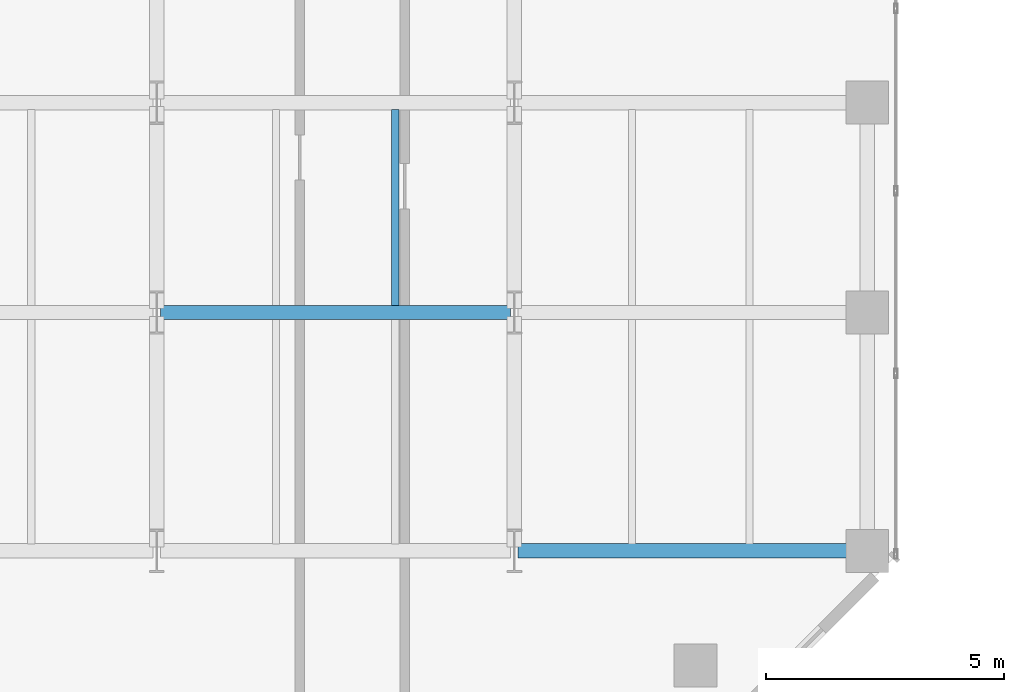
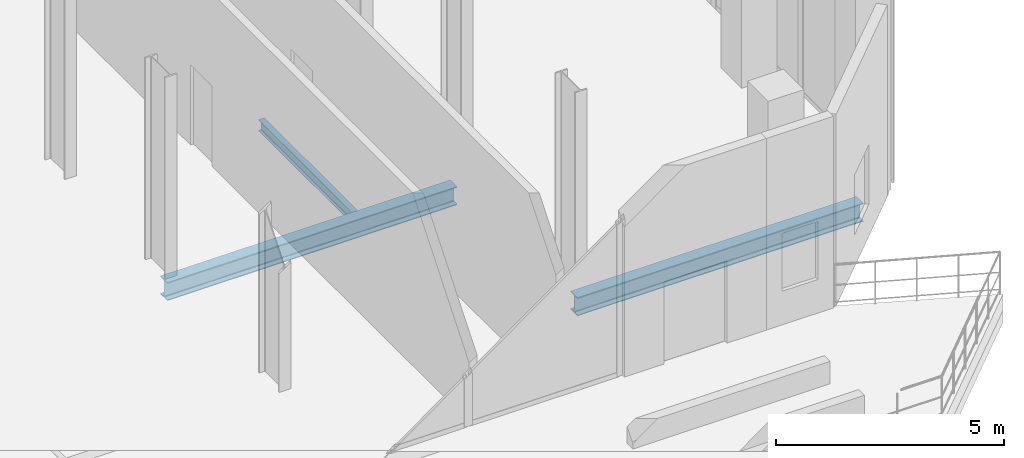
# One storey, part 4 of 24: 3 beams.
"""IFC4 building model written with IfcOpenShell, lengths in metres."""

from ifc_helpers import new_model, si_unit, direction, frame, origin, origin_2d, place, context, subcontext, project, spatial, i_section, extrude, material, material_profile, profile_set, type_object, element, save


model = new_model("IFC4")

# Units and contexts
model_context = context("Model", 3, precision=1e-05, world=origin(), true_north=direction((0.0, 1.0)))
body_context = subcontext(model_context, "Body", "Model", "MODEL_VIEW")
ifc_project = project(units=[si_unit("LENGTHUNIT", "METRE"), si_unit("AREAUNIT", "SQUARE_METRE"), si_unit("VOLUMEUNIT", "CUBIC_METRE"), si_unit("PLANEANGLEUNIT", "RADIAN"), si_unit("MASSUNIT", "GRAM", prefix="KILO")], contexts=[model_context])

# Site, building, storey
site_placement = place(None, origin())
site = spatial("IfcSite", under=ifc_project, at=site_placement, CompositionType="ELEMENT")
building_placement = place(site_placement, origin())
building = spatial("IfcBuilding", under=site, at=building_placement, Name="Catumbela Crestline Tower", CompositionType="ELEMENT")
storey_placement = place(building_placement, frame((0.0, 0.0, 84.6)))
storey = spatial("IfcBuildingStorey", under=building, at=storey_placement, Name="L21", CompositionType="ELEMENT", Elevation=84.6)

# Beams
ifc_material = material(Name="Structural steel S355J2", Category="steel")
ifc_material_profile_1 = material_profile(ifc_material, i_section(OverallWidth=0.3, OverallDepth=0.49, WebThickness=0.012, FlangeThickness=0.023, FilletRadius=0.027, at=origin_2d()), Name="HEA 500")
ifc_profile_set_1 = profile_set([ifc_material_profile_1], Name="Structural steel S355J2")
beam_type_1 = type_object("IfcBeamType", Name="BG-HEA500", PredefinedType="BEAM", material=ifc_profile_set_1)
beam_1_placement = place(storey_placement, frame((16.08, 8.6, -0.595), z_axis=(1.0, 0.0, 0.0), x_axis=(0.0, 1.0, 0.0)))
element("IfcBeam", 1, at=beam_1_placement, inside=storey, type_object=beam_type_1, Name="L21 Beam BM-L21-WEW45", PredefinedType="BEAM", context=body_context, shape_type="SweptSolid", body=[
    extrude(i_section(OverallWidth=0.3, OverallDepth=0.49, WebThickness=0.012, FlangeThickness=0.023, FilletRadius=0.027, at=origin_2d()), origin(), (0.0, 0.0, 1.0), 7.24),
])
beam_2_placement = place(storey_placement, frame((8.58, 13.6, -0.595), z_axis=(1.0, 0.0, 0.0), x_axis=(0.0, 1.0, 0.0)))
element("IfcBeam", 2, at=beam_2_placement, inside=storey, type_object=beam_type_1, Name="L21 Beam BM-L21-WEW47", PredefinedType="BEAM", context=body_context, shape_type="SweptSolid", body=[
    extrude(i_section(OverallWidth=0.3, OverallDepth=0.49, WebThickness=0.012, FlangeThickness=0.023, FilletRadius=0.027, at=origin_2d()), origin(), (0.0, 0.0, 1.0), 7.34),
])
ifc_material_profile_2 = material_profile(ifc_material, i_section(OverallWidth=0.15, OverallDepth=0.3, WebThickness=0.0071, FlangeThickness=0.0107, FilletRadius=0.015, at=origin_2d()), Name="IPE 300")
ifc_profile_set_2 = profile_set([ifc_material_profile_2], Name="Structural steel S355J2")
beam_type_2 = type_object("IfcBeamType", Name="BJ-IPE300", PredefinedType="JOIST", material=ifc_profile_set_2)
beam_3_placement = place(storey_placement, frame((13.5, 13.747, -0.5), z_axis=(0.0, 1.0, 0.0), x_axis=(-1.0, 0.0, 0.0)))
element("IfcBeam", 3, at=beam_3_placement, inside=storey, type_object=beam_type_2, Name="L21 Joist JS-L21-WG72", PredefinedType="JOIST", context=body_context, shape_type="SweptSolid", body=[
    extrude(i_section(OverallWidth=0.15, OverallDepth=0.3, WebThickness=0.0071, FlangeThickness=0.0107, FilletRadius=0.015, at=origin_2d()), origin(), (0.0, 0.0, 1.0), 4.106),
])

save(model, "model.ifc")
